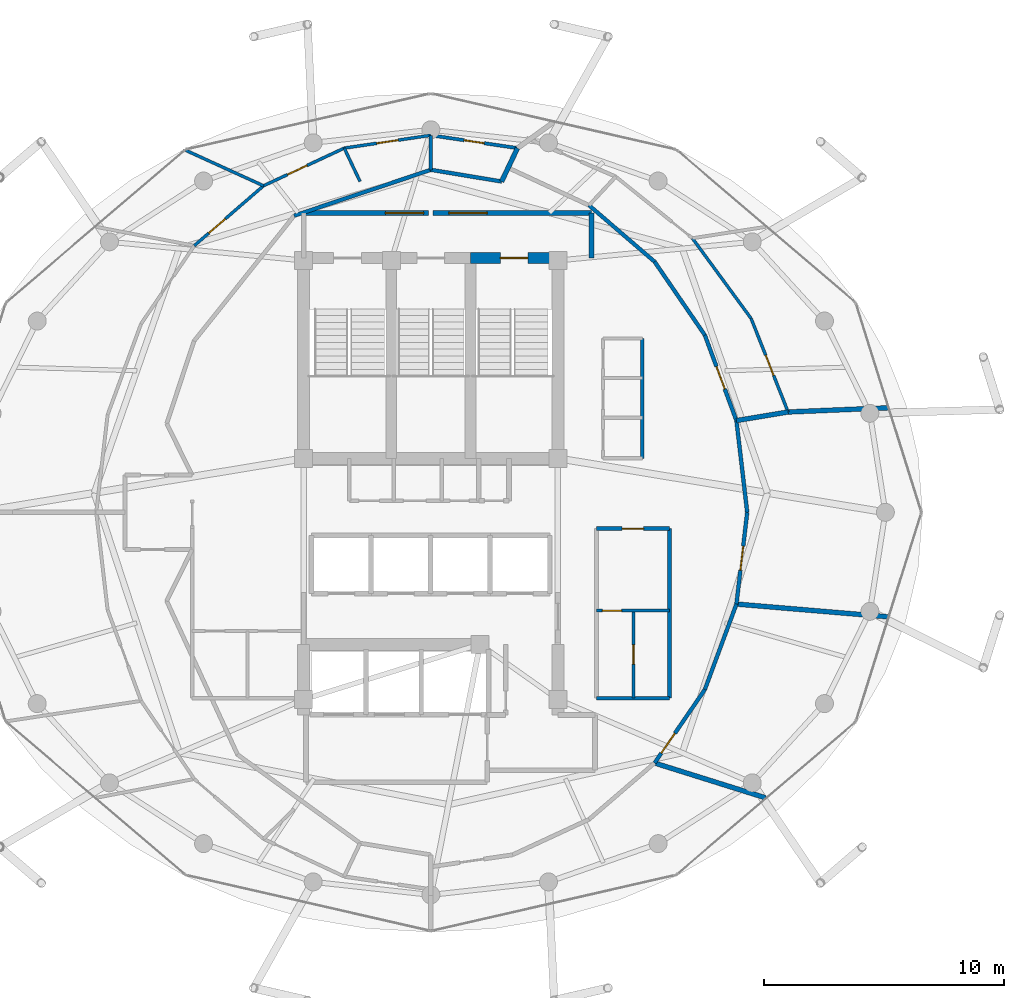
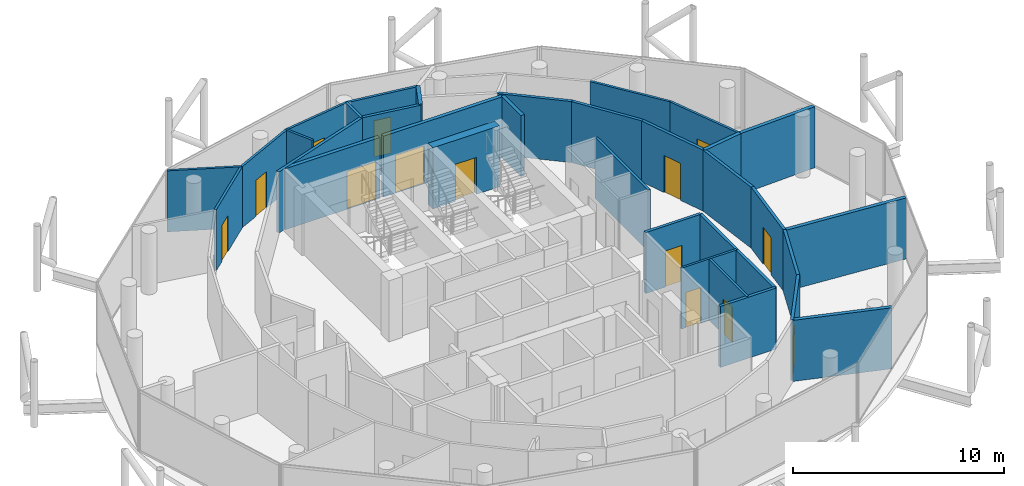
# One storey, part 22 of 24: 33 walls, 14 doors, 14 openings.
"""IFC4 building model written with IfcOpenShell, lengths in metres."""

from ifc_helpers import new_model, si_unit, direction, frame, frame_2d, origin, place, context, subcontext, project, spatial, rectangle, extrude, material, layer, layer_set, type_object, element, fill, save


model = new_model("IFC4")

# Units and contexts
model_context = context("Model", 3, precision=1e-05, world=origin(), true_north=direction((0.0, 1.0)))
body_context = subcontext(model_context, "Body", "Model", "MODEL_VIEW")
ifc_project = project(units=[si_unit("LENGTHUNIT", "METRE"), si_unit("AREAUNIT", "SQUARE_METRE"), si_unit("VOLUMEUNIT", "CUBIC_METRE"), si_unit("PLANEANGLEUNIT", "RADIAN"), si_unit("MASSUNIT", "GRAM", prefix="KILO")], contexts=[model_context])

# Site, building, storey
site_placement = place(None, origin())
site = spatial("IfcSite", under=ifc_project, at=site_placement, CompositionType="ELEMENT")
building_placement = place(site_placement, origin())
building = spatial("IfcBuilding", under=site, at=building_placement, Name="Nuhasar Tower", CompositionType="ELEMENT")
storey_placement = place(building_placement, frame((0.0, 0.0, 293.60009765625)))
storey = spatial("IfcBuildingStorey", under=building, at=storey_placement, Name="L73", CompositionType="ELEMENT", Elevation=293.60009765625)

# Wall, opening, door
ifc_material_1 = material(Name="Concrete C50/60", Category="concrete")
ifc_layer_1 = layer(ifc_material_1, 0.449951171875)
ifc_layer_set_1 = layer_set([ifc_layer_1], Name="Concrete C50/60")
wall_type_1 = type_object("IfcWallType", Name="WL-CORE-450", PredefinedType="SHEAR", material=ifc_layer_set_1)
wall_1_placement = place(storey_placement, frame((44.300048828125, 37.39990234375, 0.0), z_axis=(0.0, 0.0, 1.0), x_axis=(-1.0, 0.0, 0.0)))
wall_1 = element("IfcWall", 1, at=wall_1_placement, inside=storey, type_object=wall_type_1, Name="L73 Stairwell Shear Wall ST02-N", PredefinedType="SHEAR", context=body_context, shape_type="SweptSolid", body=[
    extrude(rectangle(XDim=3.650146484375, YDim=0.449951171875, at=frame_2d((1.8251953125, 0.0))), origin(), (0.0, 0.0, 1.0), 3.539794921875),
])
opening_1_placement = place(wall_1_placement, frame((1.25, 0.0, 0.0)))
opening_1 = element("IfcOpeningElement", 2, at=opening_1_placement, cuts=wall_1, Name="Opening DS-01", PredefinedType="OPENING", context=body_context, shape_type="SweptSolid", body=[
    extrude(rectangle(XDim=1.14990234375, YDim=2.14990234375, at=frame_2d((0.574951171875, 1.074951171875))), frame((0.0, 0.23486328125, 0.0), z_axis=(0.0, -1.0, 0.0), x_axis=(1.0, 0.0, 0.0)), (0.0, 0.0, 1.0), 0.469970703125),
])
ifc_material_2 = material(Name="Steel S355", Category="steel")
door_type_1 = type_object("IfcDoorType", Name="DR-STAIR-FD120-1150", OperationType="NOTDEFINED", PredefinedType="DOOR", material=ifc_material_2)
door_1_placement = place(opening_1_placement, origin())
door_1 = element("IfcDoor", 3, at=door_1_placement, inside=storey, type_object=door_type_1, Name="L73 Exit Stair ST-02 Door", OperationType="SINGLE_SWING_LEFT", OverallHeight=2.14990234375, OverallWidth=1.14990234375, PredefinedType="DOOR", context=body_context, shape_type="SweptSolid", body=[
    extrude(rectangle(XDim=1.14990234375, YDim=2.14990234375, at=frame_2d((0.574951171875, 1.074951171875))), frame((0.0, 0.02490234375, 0.0), z_axis=(0.0, -1.0, 0.0), x_axis=(1.0, 0.0, 0.0)), (0.0, 0.0, 1.0), 0.050048828125),
])
fill(opening_1, door_1)

# Walls
ifc_material_3 = material(Name="Gypsum Board", Category="gypsum")
ifc_layer_2 = layer(ifc_material_3, 0.159912109375)
ifc_layer_set_2 = layer_set([ifc_layer_2], Name="Gypsum Board")
wall_type_2 = type_object("IfcWallType", Name="WL-CORR-160", PredefinedType="PARTITIONING", material=ifc_layer_set_2)
wall_2_placement = place(storey_placement, frame((45.89990234375, 19.050048828125, 0.0), z_axis=(0.0, 0.0, 1.0), x_axis=(1.0, 0.0, 0.0)))
element("IfcWall", 4, at=wall_2_placement, inside=storey, type_object=wall_type_2, Name="L73 Interior Partition RECL-B2-S", PredefinedType="PARTITIONING", context=body_context, shape_type="SweptSolid", body=[
    extrude(rectangle(XDim=3.050048828125, YDim=0.159912109375, at=frame_2d((1.52490234375, 0.0))), origin(), (0.0, 0.0, 1.0), 3.539794921875),
])
wall_3_placement = place(storey_placement, frame((48.949951171875, 19.050048828125, 0.0), z_axis=(0.0, 0.0, 1.0), x_axis=(0.0, 1.0, 0.0)))
element("IfcWall", 5, at=wall_3_placement, inside=storey, type_object=wall_type_2, Name="L73 Interior Partition RECL-B2-E", PredefinedType="PARTITIONING", context=body_context, shape_type="SweptSolid", body=[
    extrude(rectangle(XDim=7.070068359375, YDim=0.159912109375, at=frame_2d((3.53515625, 0.0))), origin(), (0.0, 0.0, 1.0), 3.539794921875),
])

# Wall, opening, door
wall_4_placement = place(storey_placement, frame((48.949951171875, 26.1201171875, 0.0), z_axis=(0.0, 0.0, 1.0), x_axis=(-1.0, 0.0, 0.0)))
wall_4 = element("IfcWall", 6, at=wall_4_placement, inside=storey, type_object=wall_type_2, Name="L73 Interior Partition RECL-B2-N", PredefinedType="PARTITIONING", context=body_context, shape_type="SweptSolid", body=[
    extrude(rectangle(XDim=3.050048828125, YDim=0.159912109375, at=frame_2d((1.52490234375, 0.0))), origin(), (0.0, 0.0, 1.0), 3.539794921875),
])
opening_2_placement = place(wall_4_placement, frame((1.074951171875, 0.0, 0.0)))
opening_2 = element("IfcOpeningElement", 7, at=opening_2_placement, cuts=wall_4, Name="Opening DR-01", PredefinedType="OPENING", context=body_context, shape_type="SweptSolid", body=[
    extrude(rectangle(XDim=0.89990234375, YDim=2.10009765625, at=frame_2d((0.449951171875, 1.050048828125))), frame((0.0, 0.08984375, 0.0), z_axis=(0.0, -1.0, 0.0), x_axis=(1.0, 0.0, 0.0)), (0.0, 0.0, 1.0), 0.179931640625),
])
ifc_material_4 = material(Name="Timber Oak", Category="wood")
door_type_2 = type_object("IfcDoorType", Name="DR-ROOM-900", OperationType="NOTDEFINED", PredefinedType="DOOR", material=ifc_material_4)
door_2_placement = place(opening_2_placement, origin())
door_2 = element("IfcDoor", 8, at=door_2_placement, inside=storey, type_object=door_type_2, Name="L73 Telemetry Closet Door", OperationType="SINGLE_SWING_LEFT", OverallHeight=2.10009765625, OverallWidth=0.89990234375, PredefinedType="DOOR", context=body_context, shape_type="SweptSolid", body=[
    extrude(rectangle(XDim=0.89990234375, YDim=2.10009765625, at=frame_2d((0.449951171875, 1.050048828125))), frame((0.0, 0.02490234375, 0.0), z_axis=(0.0, -1.0, 0.0), x_axis=(1.0, 0.0, 0.0)), (0.0, 0.0, 1.0), 0.050048828125),
])
fill(opening_2, door_2)

wall_5_placement = place(storey_placement, frame((50.423095703125, 19.409912109375, 0.0), z_axis=(0.0, 0.0, 1.0), x_axis=(-0.565044823329, -0.825060208487, 0.0)))
wall_5 = element("IfcWall", 9, at=wall_5_placement, inside=storey, type_object=wall_type_2, Name="L73 Interior Partition CORR-42", PredefinedType="PARTITIONING", context=body_context, shape_type="SweptSolid", body=[
    extrude(rectangle(XDim=3.709716796875, YDim=0.159912109375, at=frame_2d((1.85498046875, 0.0))), origin(), (0.0, 0.0, 1.0), 3.539794921875),
])
opening_3_placement = place(wall_5_placement, frame((2.208984375, 0.0, 0.0)))
opening_3 = element("IfcOpeningElement", 10, at=opening_3_placement, cuts=wall_5, Name="Opening DU-02", PredefinedType="OPENING", context=body_context, shape_type="SweptSolid", body=[
    extrude(rectangle(XDim=1.0, YDim=2.14990234375, at=frame_2d((0.5, 1.074951171875))), frame((0.0, 0.08984375, 0.0), z_axis=(0.0, -1.0, 0.0), x_axis=(1.0, 0.0, 0.0)), (0.0, 0.0, 1.0), 0.179931640625),
])
door_type_3 = type_object("IfcDoorType", Name="DR-FLAT-FD60-1000", OperationType="NOTDEFINED", PredefinedType="DOOR", material=ifc_material_4)
door_3_placement = place(opening_3_placement, origin())
door_3 = element("IfcDoor", 11, at=door_3_placement, inside=storey, type_object=door_type_3, Name="L73 Hydrotherapy Treatment Clinic Entrance Door", OperationType="SINGLE_SWING_RIGHT", OverallHeight=2.14990234375, OverallWidth=1.0, PredefinedType="DOOR", context=body_context, shape_type="SweptSolid", body=[
    extrude(rectangle(XDim=1.0, YDim=2.14990234375, at=frame_2d((0.5, 1.074951171875))), frame((0.0, 0.02490234375, 0.0), z_axis=(0.0, -1.0, 0.0), x_axis=(1.0, 0.0, 0.0)), (0.0, 0.0, 1.0), 0.050048828125),
])
fill(opening_3, door_3)

# Wall
wall_6_placement = place(storey_placement, frame((50.423095703125, 19.409912109375, 0.0), z_axis=(0.0, 0.0, 1.0), x_axis=(0.346720166633, 0.937968616773, 0.0)))
element("IfcWall", 12, at=wall_6_placement, inside=storey, type_object=wall_type_2, Name="L73 Interior Partition CORR-44", PredefinedType="PARTITIONING", context=body_context, shape_type="SweptSolid", body=[
    extrude(rectangle(XDim=3.801025390625, YDim=0.159912109375, at=frame_2d((1.900390625, 0.0))), origin(), (0.0, 0.0, 1.0), 3.539794921875),
])

# Wall, opening, door
wall_7_placement = place(storey_placement, frame((52.18994140625, 26.800048828125, 0.0), z_axis=(0.0, 0.0, 1.0), x_axis=(-0.116580098154, -0.993181292974, 0.0)))
wall_7 = element("IfcWall", 13, at=wall_7_placement, inside=storey, type_object=wall_type_2, Name="L73 Interior Partition CORR-46", PredefinedType="PARTITIONING", context=body_context, shape_type="SweptSolid", body=[
    extrude(rectangle(XDim=3.851318359375, YDim=0.159912109375, at=frame_2d((1.92578125, 0.0))), origin(), (0.0, 0.0, 1.0), 3.539794921875),
])
opening_4_placement = place(wall_7_placement, frame((1.426025390625, 0.0, 0.0)))
opening_4 = element("IfcOpeningElement", 14, at=opening_4_placement, cuts=wall_7, Name="Opening DU-02", PredefinedType="OPENING", context=body_context, shape_type="SweptSolid", body=[
    extrude(rectangle(XDim=1.0, YDim=2.14990234375, at=frame_2d((0.5, 1.074951171875))), frame((0.0, 0.08984375, 0.0), z_axis=(0.0, -1.0, 0.0), x_axis=(1.0, 0.0, 0.0)), (0.0, 0.0, 1.0), 0.179931640625),
])
door_4_placement = place(opening_4_placement, origin())
door_4 = element("IfcDoor", 15, at=door_4_placement, inside=storey, type_object=door_type_3, Name="L73 Security & Butler Staff Office Entrance Door", OperationType="SINGLE_SWING_LEFT", OverallHeight=2.14990234375, OverallWidth=1.0, PredefinedType="DOOR", context=body_context, shape_type="SweptSolid", body=[
    extrude(rectangle(XDim=1.0, YDim=2.14990234375, at=frame_2d((0.5, 1.074951171875))), frame((0.0, 0.02490234375, 0.0), z_axis=(0.0, -1.0, 0.0), x_axis=(1.0, 0.0, 0.0)), (0.0, 0.0, 1.0), 0.050048828125),
])
fill(opening_4, door_4)

# Wall
wall_8_placement = place(storey_placement, frame((52.18994140625, 26.800048828125, 0.0), z_axis=(0.0, 0.0, 1.0), x_axis=(-0.116580098154, 0.993181292974, 0.0)))
element("IfcWall", 16, at=wall_8_placement, inside=storey, type_object=wall_type_2, Name="L73 Interior Partition CORR-00", PredefinedType="PARTITIONING", context=body_context, shape_type="SweptSolid", body=[
    extrude(rectangle(XDim=3.851318359375, YDim=0.159912109375, at=frame_2d((1.92578125, 0.0))), origin(), (0.0, 0.0, 1.0), 3.539794921875),
])

# Wall, opening, door
wall_9_placement = place(storey_placement, frame((50.423095703125, 34.18994140625, 0.0), z_axis=(0.0, 0.0, 1.0), x_axis=(0.346741056612, -0.937960894526, 0.0)))
wall_9 = element("IfcWall", 17, at=wall_9_placement, inside=storey, type_object=wall_type_2, Name="L73 Interior Partition CORR-02", PredefinedType="PARTITIONING", context=body_context, shape_type="SweptSolid", body=[
    extrude(rectangle(XDim=3.80078125, YDim=0.159912109375, at=frame_2d((1.900390625, 0.0))), origin(), (0.0, 0.0, 1.0), 3.539794921875),
])
opening_5_placement = place(wall_9_placement, frame((1.39990234375, 0.0, 0.0)))
opening_5 = element("IfcOpeningElement", 18, at=opening_5_placement, cuts=wall_9, Name="Opening DU-02", PredefinedType="OPENING", context=body_context, shape_type="SweptSolid", body=[
    extrude(rectangle(XDim=1.0, YDim=2.14990234375, at=frame_2d((0.5, 1.074951171875))), frame((0.0, 0.08984375, 0.0), z_axis=(0.0, -1.0, 0.0), x_axis=(1.0, 0.0, 0.0)), (0.0, 0.0, 1.0), 0.179931640625),
])
door_5_placement = place(opening_5_placement, origin())
door_5 = element("IfcDoor", 19, at=door_5_placement, inside=storey, type_object=door_type_3, Name="L73 Royal Summit Sky Villa Entrance Door", OperationType="SINGLE_SWING_LEFT", OverallHeight=2.14990234375, OverallWidth=1.0, PredefinedType="DOOR", context=body_context, shape_type="SweptSolid", body=[
    extrude(rectangle(XDim=1.0, YDim=2.14990234375, at=frame_2d((0.5, 1.074951171875))), frame((0.0, 0.02490234375, 0.0), z_axis=(0.0, -1.0, 0.0), x_axis=(1.0, 0.0, 0.0)), (0.0, 0.0, 1.0), 0.050048828125),
])
fill(opening_5, door_5)

# Walls
wall_10_placement = place(storey_placement, frame((50.423095703125, 34.18994140625, 0.0), z_axis=(0.0, 0.0, 1.0), x_axis=(-0.565014144236, 0.825081218313, 0.0)))
element("IfcWall", 20, at=wall_10_placement, inside=storey, type_object=wall_type_2, Name="L73 Interior Partition CORR-04", PredefinedType="PARTITIONING", context=body_context, shape_type="SweptSolid", body=[
    extrude(rectangle(XDim=3.7099609375, YDim=0.159912109375, at=frame_2d((1.85498046875, 0.0))), origin(), (0.0, 0.0, 1.0), 3.539794921875),
])
wall_11_placement = place(storey_placement, frame((48.326904296875, 37.2509765625, 0.0), z_axis=(0.0, 0.0, 1.0), x_axis=(-0.758232091793, 0.651984735231, 0.0)))
element("IfcWall", 21, at=wall_11_placement, inside=storey, type_object=wall_type_2, Name="L73 Interior Partition CORR-06", PredefinedType="PARTITIONING", context=body_context, shape_type="SweptSolid", body=[
    extrude(rectangle(XDim=3.60302734375, YDim=0.159912109375, at=frame_2d((1.801513671875, 0.0))), origin(), (0.0, 0.0, 1.0), 3.539794921875),
])
wall_12_placement = place(storey_placement, frame((41.950927734375, 40.593017578125, 0.0), z_axis=(0.0, 0.0, 1.0), x_axis=(-0.986650832406, 0.162850038111, 0.0)))
element("IfcWall", 22, at=wall_12_placement, inside=storey, type_object=wall_type_2, Name="L73 Interior Partition UWEST-CORE-N1-10", PredefinedType="PARTITIONING", context=body_context, shape_type="SweptSolid", body=[
    extrude(rectangle(XDim=2.990966796875, YDim=0.159912109375, at=frame_2d((1.49560546875, 0.0))), origin(), (0.0, 0.0, 1.0), 3.539794921875),
])
wall_13_placement = place(storey_placement, frame((39.0, 41.080078125, 0.0), z_axis=(0.0, 0.0, 1.0), x_axis=(-0.948027514656, -0.318188358455, 0.0)))
element("IfcWall", 23, at=wall_13_placement, inside=storey, type_object=wall_type_2, Name="L73 Interior Partition UWEST-CORE-N2-12", PredefinedType="PARTITIONING", context=body_context, shape_type="SweptSolid", body=[
    extrude(rectangle(XDim=6.012451171875, YDim=0.159912109375, at=frame_2d((3.00634765625, 0.0))), origin(), (0.0, 0.0, 1.0), 3.539794921875),
])
ifc_material_5 = material(Name="Concrete C45/55", Category="concrete")
ifc_layer_3 = layer(ifc_material_5, 0.199951171875)
ifc_layer_set_3 = layer_set([ifc_layer_3], Name="Concrete C45/55")
wall_type_3 = type_object("IfcWallType", Name="WL-LOBBY-200", PredefinedType="SOLIDWALL", material=ifc_layer_set_3)
wall_14_placement = place(storey_placement, frame((45.699951171875, 37.39990234375, 0.0), z_axis=(0.0, 0.0, 1.0), x_axis=(0.0, 1.0, 0.0)))
element("IfcWall", 24, at=wall_14_placement, inside=storey, type_object=wall_type_3, Name="L73 Interior Partition NSL-E", PredefinedType="SOLIDWALL", context=body_context, shape_type="SweptSolid", body=[
    extrude(rectangle(XDim=1.880126953125, YDim=0.199951171875, at=frame_2d((0.93994140625, 0.0))), origin(), (0.0, 0.0, 1.0), 3.539794921875),
])

# Wall, opening, door
wall_15_placement = place(storey_placement, frame((38.89990234375, 39.280029296875, 0.0), z_axis=(0.0, 0.0, 1.0), x_axis=(-1.0, 0.0, 0.0)))
wall_15 = element("IfcWall", 25, at=wall_15_placement, inside=storey, type_object=wall_type_3, Name="L73 Interior Partition NSL-N1", PredefinedType="SOLIDWALL", context=body_context, shape_type="SweptSolid", body=[
    extrude(rectangle(XDim=5.199951171875, YDim=0.199951171875, at=frame_2d((2.60009765625, 0.0))), origin(), (0.0, 0.0, 1.0), 3.539794921875),
])
opening_6_placement = place(wall_15_placement, frame((0.199951171875, 0.0, 0.0)))
opening_6 = element("IfcOpeningElement", 26, at=opening_6_placement, cuts=wall_15, Name="Opening DC-01", PredefinedType="OPENING", context=body_context, shape_type="SweptSolid", body=[
    extrude(rectangle(XDim=1.60009765625, YDim=2.199951171875, at=frame_2d((0.800048828125, 1.10009765625))), frame((0.0, 0.10986328125, 0.0), z_axis=(0.0, -1.0, 0.0), x_axis=(1.0, 0.0, 0.0)), (0.0, 0.0, 1.0), 0.219970703125),
])
door_type_4 = type_object("IfcDoorType", Name="DR-CORR-FD60-1600", OperationType="DOUBLE_DOOR_SINGLE_SWING", PredefinedType="DOOR", material=ifc_material_2)
door_6_placement = place(opening_6_placement, origin())
door_6 = element("IfcDoor", 27, at=door_6_placement, inside=storey, type_object=door_type_4, Name="L73 North Stair Lobby West Door", OperationType="DOUBLE_DOOR_SINGLE_SWING", OverallHeight=2.199951171875, OverallWidth=1.60009765625, PredefinedType="DOOR", context=body_context, shape_type="SweptSolid", body=[
    extrude(rectangle(XDim=1.60009765625, YDim=2.199951171875, at=frame_2d((0.800048828125, 1.10009765625))), frame((0.0, 0.02490234375, 0.0), z_axis=(0.0, -1.0, 0.0), x_axis=(1.0, 0.0, 0.0)), (0.0, 0.0, 1.0), 0.050048828125),
])
fill(opening_6, door_6)

wall_16_placement = place(storey_placement, frame((45.699951171875, 39.280029296875, 0.0), z_axis=(0.0, 0.0, 1.0), x_axis=(-1.0, 0.0, 0.0)))
wall_16 = element("IfcWall", 28, at=wall_16_placement, inside=storey, type_object=wall_type_3, Name="L73 Interior Partition NSL-N2", PredefinedType="SOLIDWALL", context=body_context, shape_type="SweptSolid", body=[
    extrude(rectangle(XDim=6.599853515625, YDim=0.199951171875, at=frame_2d((3.2998046875, 0.0))), origin(), (0.0, 0.0, 1.0), 3.539794921875),
])
opening_7_placement = place(wall_16_placement, frame((4.35009765625, 0.0, 0.0)))
opening_7 = element("IfcOpeningElement", 29, at=opening_7_placement, cuts=wall_16, Name="Opening DC-01", PredefinedType="OPENING", context=body_context, shape_type="SweptSolid", body=[
    extrude(rectangle(XDim=1.60009765625, YDim=2.199951171875, at=frame_2d((0.800048828125, 1.10009765625))), frame((0.0, 0.10986328125, 0.0), z_axis=(0.0, -1.0, 0.0), x_axis=(1.0, 0.0, 0.0)), (0.0, 0.0, 1.0), 0.219970703125),
])
door_7_placement = place(opening_7_placement, origin())
door_7 = element("IfcDoor", 30, at=door_7_placement, inside=storey, type_object=door_type_4, Name="L73 North Stair Lobby East Door", OperationType="DOUBLE_DOOR_SINGLE_SWING", OverallHeight=2.199951171875, OverallWidth=1.60009765625, PredefinedType="DOOR", context=body_context, shape_type="SweptSolid", body=[
    extrude(rectangle(XDim=1.60009765625, YDim=2.199951171875, at=frame_2d((0.800048828125, 1.10009765625))), frame((0.0, 0.02490234375, 0.0), z_axis=(0.0, -1.0, 0.0), x_axis=(1.0, 0.0, 0.0)), (0.0, 0.0, 1.0), 0.050048828125),
])
fill(opening_7, door_7)

ifc_layer_4 = layer(ifc_material_3, 0.125)
ifc_layer_set_4 = layer_set([ifc_layer_4], Name="Gypsum Board")
wall_type_4 = type_object("IfcWallType", Name="WL-PART-125", PredefinedType="PARTITIONING", material=ifc_layer_set_4)
wall_17_placement = place(storey_placement, frame((47.449951171875, 22.699951171875, 0.0), z_axis=(0.0, 0.0, 1.0), x_axis=(0.0, -1.0, 0.0)))
wall_17 = element("IfcWall", 31, at=wall_17_placement, inside=storey, type_object=wall_type_4, Name="L73 Interior Partition RECL-B2-V", PredefinedType="PARTITIONING", context=body_context, shape_type="SweptSolid", body=[
    extrude(rectangle(XDim=3.64990234375, YDim=0.125, at=frame_2d((1.824951171875, 0.0))), origin(), (0.0, 0.0, 1.0), 3.539794921875),
])
opening_8_placement = place(wall_17_placement, frame((1.425048828125, 0.0, 0.0)))
opening_8 = element("IfcOpeningElement", 32, at=opening_8_placement, cuts=wall_17, Name="Opening DM-01", PredefinedType="OPENING", context=body_context, shape_type="SweptSolid", body=[
    extrude(rectangle(XDim=0.800048828125, YDim=2.050048828125, at=frame_2d((0.39990234375, 1.02490234375))), frame((0.0, 0.072509765625, 0.0), z_axis=(0.0, -1.0, 0.0), x_axis=(1.0, 0.0, 0.0)), (0.0, 0.0, 1.0), 0.14501953125),
])
door_type_5 = type_object("IfcDoorType", Name="DR-RISER-FD60-800", OperationType="NOTDEFINED", PredefinedType="DOOR", material=ifc_material_2)
door_8_placement = place(opening_8_placement, origin())
door_8 = element("IfcDoor", 33, at=door_8_placement, inside=storey, type_object=door_type_5, Name="L73 Archive Closet Door", OperationType="SINGLE_SWING_LEFT", OverallHeight=2.050048828125, OverallWidth=0.800048828125, PredefinedType="DOOR", context=body_context, shape_type="SweptSolid", body=[
    extrude(rectangle(XDim=0.800048828125, YDim=2.050048828125, at=frame_2d((0.39990234375, 1.02490234375))), frame((0.0, 0.02490234375, 0.0), z_axis=(0.0, -1.0, 0.0), x_axis=(1.0, 0.0, 0.0)), (0.0, 0.0, 1.0), 0.050048828125),
])
fill(opening_8, door_8)

wall_18_placement = place(storey_placement, frame((48.949951171875, 22.699951171875, 0.0), z_axis=(0.0, 0.0, 1.0), x_axis=(-1.0, 0.0, 0.0)))
wall_18 = element("IfcWall", 34, at=wall_18_placement, inside=storey, type_object=wall_type_4, Name="L73 Interior Partition RECL-B2-M", PredefinedType="PARTITIONING", context=body_context, shape_type="SweptSolid", body=[
    extrude(rectangle(XDim=3.050048828125, YDim=0.125, at=frame_2d((1.52490234375, 0.0))), origin(), (0.0, 0.0, 1.0), 3.539794921875),
])
opening_9_placement = place(wall_18_placement, frame((2.0, 0.0, 0.0)))
opening_9 = element("IfcOpeningElement", 35, at=opening_9_placement, cuts=wall_18, Name="Opening DM-01", PredefinedType="OPENING", context=body_context, shape_type="SweptSolid", body=[
    extrude(rectangle(XDim=0.800048828125, YDim=2.050048828125, at=frame_2d((0.39990234375, 1.02490234375))), frame((0.0, 0.072509765625, 0.0), z_axis=(0.0, -1.0, 0.0), x_axis=(1.0, 0.0, 0.0)), (0.0, 0.0, 1.0), 0.14501953125),
])
door_9_placement = place(opening_9_placement, origin())
door_9 = element("IfcDoor", 36, at=door_9_placement, inside=storey, type_object=door_type_5, Name="L73 Trunk Store Door", OperationType="SINGLE_SWING_RIGHT", OverallHeight=2.050048828125, OverallWidth=0.800048828125, PredefinedType="DOOR", context=body_context, shape_type="SweptSolid", body=[
    extrude(rectangle(XDim=0.800048828125, YDim=2.050048828125, at=frame_2d((0.39990234375, 1.02490234375))), frame((0.0, 0.02490234375, 0.0), z_axis=(0.0, -1.0, 0.0), x_axis=(1.0, 0.0, 0.0)), (0.0, 0.0, 1.0), 0.050048828125),
])
fill(opening_9, door_9)

wall_19_placement = place(storey_placement, frame((52.35400390625, 34.8798828125, 0.0), z_axis=(0.0, 0.0, 1.0), x_axis=(0.367731535022, -0.929931996519, 0.0)))
wall_19 = element("IfcWall", 37, at=wall_19_placement, inside=storey, type_object=wall_type_4, Name="L73 Interior Partition UMID-04-A-02", PredefinedType="PARTITIONING", context=body_context, shape_type="SweptSolid", body=[
    extrude(rectangle(XDim=4.190673828125, YDim=0.125, at=frame_2d((2.09521484375, 0.0))), origin(), (0.0, 0.0, 1.0), 3.539794921875),
])
opening_10_placement = place(wall_19_placement, frame((1.64501953125, 0.0, 0.0)))
opening_10 = element("IfcOpeningElement", 38, at=opening_10_placement, cuts=wall_19, Name="Opening DR-01", PredefinedType="OPENING", context=body_context, shape_type="SweptSolid", body=[
    extrude(rectangle(XDim=0.89990234375, YDim=2.10009765625, at=frame_2d((0.449951171875, 1.050048828125))), frame((0.0, 0.072509765625, 0.0), z_axis=(0.0, -1.0, 0.0), x_axis=(1.0, 0.0, 0.0)), (0.0, 0.0, 1.0), 0.14501953125),
])
door_10_placement = place(opening_10_placement, origin())
door_10 = element("IfcDoor", 39, at=door_10_placement, inside=storey, type_object=door_type_2, Name="L73 U04 Living Door", OperationType="SINGLE_SWING_RIGHT", OverallHeight=2.10009765625, OverallWidth=0.89990234375, PredefinedType="DOOR", context=body_context, shape_type="SweptSolid", body=[
    extrude(rectangle(XDim=0.89990234375, YDim=2.10009765625, at=frame_2d((0.449951171875, 1.050048828125))), frame((0.0, 0.02490234375, 0.0), z_axis=(0.0, -1.0, 0.0), x_axis=(1.0, 0.0, 0.0)), (0.0, 0.0, 1.0), 0.050048828125),
])
fill(opening_10, door_10)

# Walls
wall_20_placement = place(storey_placement, frame((52.35400390625, 34.8798828125, 0.0), z_axis=(0.0, 0.0, 1.0), x_axis=(-0.590636208364, 0.806937958811, 0.0)))
element("IfcWall", 40, at=wall_20_placement, inside=storey, type_object=wall_type_4, Name="L73 Interior Partition UMID-04-A-04", PredefinedType="PARTITIONING", context=body_context, shape_type="SweptSolid", body=[
    extrude(rectangle(XDim=4.14794921875, YDim=0.125, at=frame_2d((2.073974609375, 0.0))), origin(), (0.0, 0.0, 1.0), 3.539794921875),
])
wall_21_placement = place(storey_placement, frame((36.049072265625, 40.593017578125, 0.0), z_axis=(0.0, 0.0, 1.0), x_axis=(-0.428788325004, 0.903404987998, 0.0)))
element("IfcWall", 41, at=wall_21_placement, inside=storey, type_object=wall_type_4, Name="L73 Interior Partition USI-1-KD", PredefinedType="PARTITIONING", context=body_context, shape_type="SweptSolid", body=[
    extrude(rectangle(XDim=1.53955078125, YDim=0.125, at=frame_2d((0.769775390625, 0.0))), origin(), (0.0, 0.0, 1.0), 3.539794921875),
])

# Wall, opening, door
wall_22_placement = place(storey_placement, frame((35.388916015625, 41.98388671875, 0.0), z_axis=(0.0, 0.0, 1.0), x_axis=(0.989157453542, 0.146858884996, 0.0)))
wall_22 = element("IfcWall", 42, at=wall_22_placement, inside=storey, type_object=wall_type_4, Name="L73 Interior Partition USM-1-K-12", PredefinedType="PARTITIONING", context=body_context, shape_type="SweptSolid", body=[
    extrude(rectangle(XDim=3.650634765625, YDim=0.125, at=frame_2d((1.8251953125, 0.0))), origin(), (0.0, 0.0, 1.0), 3.539794921875),
])
opening_11_placement = place(wall_22_placement, frame((1.375, 0.0, 0.0)))
opening_11 = element("IfcOpeningElement", 43, at=opening_11_placement, cuts=wall_22, Name="Opening DR-01", PredefinedType="OPENING", context=body_context, shape_type="SweptSolid", body=[
    extrude(rectangle(XDim=0.89990234375, YDim=2.10009765625, at=frame_2d((0.449951171875, 1.050048828125))), frame((0.0, 0.072509765625, 0.0), z_axis=(0.0, -1.0, 0.0), x_axis=(1.0, 0.0, 0.0)), (0.0, 0.0, 1.0), 0.14501953125),
])
door_11_placement = place(opening_11_placement, origin())
door_11 = element("IfcDoor", 44, at=door_11_placement, inside=storey, type_object=door_type_2, Name="L73 North-West Sky Home Kitchen Door", OperationType="SINGLE_SWING_LEFT", OverallHeight=2.10009765625, OverallWidth=0.89990234375, PredefinedType="DOOR", context=body_context, shape_type="SweptSolid", body=[
    extrude(rectangle(XDim=0.89990234375, YDim=2.10009765625, at=frame_2d((0.449951171875, 1.050048828125))), frame((0.0, 0.02490234375, 0.0), z_axis=(0.0, -1.0, 0.0), x_axis=(1.0, 0.0, 0.0)), (0.0, 0.0, 1.0), 0.050048828125),
])
fill(opening_11, door_11)

wall_23_placement = place(storey_placement, frame((32.02490234375, 40.4140625, 0.0), z_axis=(0.0, 0.0, 1.0), x_axis=(0.906188180382, 0.422874664334, 0.0)))
wall_23 = element("IfcWall", 45, at=wall_23_placement, inside=storey, type_object=wall_type_4, Name="L73 Interior Partition USM-1-D-14", PredefinedType="PARTITIONING", context=body_context, shape_type="SweptSolid", body=[
    extrude(rectangle(XDim=3.712158203125, YDim=0.125, at=frame_2d((1.85595703125, 0.0))), origin(), (0.0, 0.0, 1.0), 3.539794921875),
])
opening_12_placement = place(wall_23_placement, frame((1.10400390625, 0.0, 0.0)))
opening_12 = element("IfcOpeningElement", 46, at=opening_12_placement, cuts=wall_23, Name="Opening DR-01", PredefinedType="OPENING", context=body_context, shape_type="SweptSolid", body=[
    extrude(rectangle(XDim=0.89990234375, YDim=2.10009765625, at=frame_2d((0.449951171875, 1.050048828125))), frame((0.0, 0.072509765625, 0.0), z_axis=(0.0, -1.0, 0.0), x_axis=(1.0, 0.0, 0.0)), (0.0, 0.0, 1.0), 0.14501953125),
])
door_12_placement = place(opening_12_placement, origin())
door_12 = element("IfcDoor", 47, at=door_12_placement, inside=storey, type_object=door_type_2, Name="L73 North-West Sky Home Master Bedroom Door", OperationType="SINGLE_SWING_LEFT", OverallHeight=2.10009765625, OverallWidth=0.89990234375, PredefinedType="DOOR", context=body_context, shape_type="SweptSolid", body=[
    extrude(rectangle(XDim=0.89990234375, YDim=2.10009765625, at=frame_2d((0.449951171875, 1.050048828125))), frame((0.0, 0.02490234375, 0.0), z_axis=(0.0, -1.0, 0.0), x_axis=(1.0, 0.0, 0.0)), (0.0, 0.0, 1.0), 0.050048828125),
])
fill(opening_12, door_12)

wall_24_placement = place(storey_placement, frame((29.135986328125, 37.916015625, 0.0), z_axis=(0.0, 0.0, 1.0), x_axis=(0.756424716633, 0.654080765706, 0.0)))
wall_24 = element("IfcWall", 48, at=wall_24_placement, inside=storey, type_object=wall_type_4, Name="L73 Interior Partition USM-1-D-16", PredefinedType="PARTITIONING", context=body_context, shape_type="SweptSolid", body=[
    extrude(rectangle(XDim=3.819091796875, YDim=0.125, at=frame_2d((1.90966796875, 0.0))), origin(), (0.0, 0.0, 1.0), 3.539794921875),
])
opening_13_placement = place(wall_24_placement, frame((0.803955078125, 0.0, 0.0)))
opening_13 = element("IfcOpeningElement", 49, at=opening_13_placement, cuts=wall_24, Name="Opening DR-01", PredefinedType="OPENING", context=body_context, shape_type="SweptSolid", body=[
    extrude(rectangle(XDim=0.89990234375, YDim=2.10009765625, at=frame_2d((0.449951171875, 1.050048828125))), frame((0.0, 0.072509765625, 0.0), z_axis=(0.0, -1.0, 0.0), x_axis=(1.0, 0.0, 0.0)), (0.0, 0.0, 1.0), 0.14501953125),
])
door_13_placement = place(opening_13_placement, origin())
door_13 = element("IfcDoor", 50, at=door_13_placement, inside=storey, type_object=door_type_2, Name="L73 North-West Sky Home Study Door", OperationType="SINGLE_SWING_LEFT", OverallHeight=2.10009765625, OverallWidth=0.89990234375, PredefinedType="DOOR", context=body_context, shape_type="SweptSolid", body=[
    extrude(rectangle(XDim=0.89990234375, YDim=2.10009765625, at=frame_2d((0.449951171875, 1.050048828125))), frame((0.0, 0.02490234375, 0.0), z_axis=(0.0, -1.0, 0.0), x_axis=(1.0, 0.0, 0.0)), (0.0, 0.0, 1.0), 0.050048828125),
])
fill(opening_13, door_13)

# Walls
wall_25_placement = place(storey_placement, frame((32.02490234375, 40.4140625, 0.0), z_axis=(0.0, 0.0, 1.0), x_axis=(-0.90988404677, 0.414862653698, 0.0)))
element("IfcWall", 51, at=wall_25_placement, inside=storey, type_object=wall_type_4, Name="L73 Interior Partition USO-1-B1", PredefinedType="PARTITIONING", context=body_context, shape_type="SweptSolid", body=[
    extrude(rectangle(XDim=3.557373046875, YDim=0.125, at=frame_2d((1.77880859375, 0.0))), origin(), (0.0, 0.0, 1.0), 3.539794921875),
])
ifc_material_6 = material(Name="Concrete C40/50 precast", Category="concrete")
ifc_layer_5 = layer(ifc_material_6, 0.199951171875)
ifc_layer_set_5 = layer_set([ifc_layer_5], Name="Concrete C40/50 precast")
wall_type_5 = type_object("IfcWallType", Name="WL-UNIT-200", PredefinedType="PARTITIONING", material=ifc_layer_set_5)
wall_26_placement = place(storey_placement, frame((41.950927734375, 40.593017578125, 0.0), z_axis=(0.0, 0.0, 1.0), x_axis=(0.428788325004, 0.903404987998, 0.0)))
element("IfcWall", 52, at=wall_26_placement, inside=storey, type_object=wall_type_5, Name="L73 Interior Partition URAD-10-NW-S1", PredefinedType="PARTITIONING", context=body_context, shape_type="SweptSolid", body=[
    extrude(rectangle(XDim=1.53955078125, YDim=0.199951171875, at=frame_2d((0.769775390625, 0.0))), origin(), (0.0, 0.0, 1.0), 3.539794921875),
])
wall_27_placement = place(storey_placement, frame((48.326904296875, 16.34912109375, 0.0), z_axis=(0.0, 0.0, 1.0), x_axis=(0.954174696895, -0.299250142532, 0.0)))
element("IfcWall", 53, at=wall_27_placement, inside=storey, type_object=wall_type_5, Name="L73 Interior Partition URAD-42", PredefinedType="PARTITIONING", context=body_context, shape_type="SweptSolid", body=[
    extrude(rectangle(XDim=4.84619140625, YDim=0.199951171875, at=frame_2d((2.423095703125, 0.0))), origin(), (0.0, 0.0, 1.0), 3.539794921875),
])
wall_28_placement = place(storey_placement, frame((51.740966796875, 22.97509765625, 0.0), z_axis=(0.0, 0.0, 1.0), x_axis=(0.996484389559, -0.083778645044, 0.0)))
element("IfcWall", 54, at=wall_28_placement, inside=storey, type_object=wall_type_5, Name="L73 Interior Partition URAD-46", PredefinedType="PARTITIONING", context=body_context, shape_type="SweptSolid", body=[
    extrude(rectangle(XDim=6.338134765625, YDim=0.199951171875, at=frame_2d((3.1689453125, 0.0))), origin(), (0.0, 0.0, 1.0), 3.539794921875),
])
wall_29_placement = place(storey_placement, frame((51.740966796875, 30.625, 0.0), z_axis=(0.0, 0.0, 1.0), x_axis=(0.986475391434, 0.163909432601, 0.0)))
element("IfcWall", 55, at=wall_29_placement, inside=storey, type_object=wall_type_5, Name="L73 Interior Partition URAD-02-S1", PredefinedType="PARTITIONING", context=body_context, shape_type="SweptSolid", body=[
    extrude(rectangle(XDim=2.18359375, YDim=0.199951171875, at=frame_2d((1.091796875, 0.0))), origin(), (0.0, 0.0, 1.0), 3.539794921875),
])
wall_30_placement = place(storey_placement, frame((53.89501953125, 30.98291015625, 0.0), z_axis=(0.0, 0.0, 1.0), x_axis=(0.999126458002, 0.041789004784, 0.0)))
element("IfcWall", 56, at=wall_30_placement, inside=storey, type_object=wall_type_5, Name="L73 Interior Partition URAD-02-S2", PredefinedType="PARTITIONING", context=body_context, shape_type="SweptSolid", body=[
    extrude(rectangle(XDim=4.16552734375, YDim=0.199951171875, at=frame_2d((2.082763671875, 0.0))), origin(), (0.0, 0.0, 1.0), 3.539794921875),
])
ifc_layer_6 = layer(ifc_material_6, 0.139892578125)
ifc_layer_set_6 = layer_set([ifc_layer_6], Name="Concrete C40/50 precast")
wall_type_6 = type_object("IfcWallType", Name="WL-WET-140", PredefinedType="PARTITIONING", material=ifc_layer_set_6)
wall_31_placement = place(storey_placement, frame((47.820068359375, 29.050048828125, 0.0), z_axis=(0.0, 0.0, 1.0), x_axis=(0.0, 1.0, 0.0)))
element("IfcWall", 57, at=wall_31_placement, inside=storey, type_object=wall_type_6, Name="L73 Interior Partition K1-NE-E", PredefinedType="PARTITIONING", context=body_context, shape_type="SweptSolid", body=[
    extrude(rectangle(XDim=5.0, YDim=0.139892578125, at=frame_2d((2.5, 0.0))), origin(), (0.0, 0.0, 1.0), 3.539794921875),
])
wall_32_placement = place(storey_placement, frame((39.0, 41.080078125, 0.0), z_axis=(0.0, 0.0, 1.0), x_axis=(0.0, 1.0, 0.0)))
element("IfcWall", 58, at=wall_32_placement, inside=storey, type_object=wall_type_6, Name="L73 Interior Partition USI-1-BK", PredefinedType="PARTITIONING", context=body_context, shape_type="SweptSolid", body=[
    extrude(rectangle(XDim=1.43994140625, YDim=0.139892578125, at=frame_2d((0.719970703125, 0.0))), origin(), (0.0, 0.0, 1.0), 3.539794921875),
])

# Wall, opening, door
wall_33_placement = place(storey_placement, frame((39.0, 42.52001953125, 0.0), z_axis=(0.0, 0.0, 1.0), x_axis=(0.989157453542, -0.146858884996, 0.0)))
wall_33 = element("IfcWall", 59, at=wall_33_placement, inside=storey, type_object=wall_type_6, Name="L73 Interior Partition USM-1-B-10", PredefinedType="PARTITIONING", context=body_context, shape_type="SweptSolid", body=[
    extrude(rectangle(XDim=3.650634765625, YDim=0.139892578125, at=frame_2d((1.8251953125, 0.0))), origin(), (0.0, 0.0, 1.0), 3.539794921875),
])
opening_14_placement = place(wall_33_placement, frame((1.39990234375, 0.0, 0.0)))
opening_14 = element("IfcOpeningElement", 60, at=opening_14_placement, cuts=wall_33, Name="Opening DB-01", PredefinedType="OPENING", context=body_context, shape_type="SweptSolid", body=[
    extrude(rectangle(XDim=0.85009765625, YDim=2.10009765625, at=frame_2d((0.425048828125, 1.050048828125))), frame((0.0, 0.080078125, 0.0), z_axis=(0.0, -1.0, 0.0), x_axis=(1.0, 0.0, 0.0)), (0.0, 0.0, 1.0), 0.159912109375),
])
door_type_6 = type_object("IfcDoorType", Name="DR-BATH-850", OperationType="NOTDEFINED", PredefinedType="DOOR", material=ifc_material_4)
door_14_placement = place(opening_14_placement, origin())
door_14 = element("IfcDoor", 61, at=door_14_placement, inside=storey, type_object=door_type_6, Name="L73 North-West Sky Home En-Suite Door", OperationType="SINGLE_SWING_RIGHT", OverallHeight=2.10009765625, OverallWidth=0.85009765625, PredefinedType="DOOR", context=body_context, shape_type="SweptSolid", body=[
    extrude(rectangle(XDim=0.85009765625, YDim=2.10009765625, at=frame_2d((0.425048828125, 1.050048828125))), frame((0.0, 0.02490234375, 0.0), z_axis=(0.0, -1.0, 0.0), x_axis=(1.0, 0.0, 0.0)), (0.0, 0.0, 1.0), 0.050048828125),
])
fill(opening_14, door_14)

save(model, "model.ifc")
